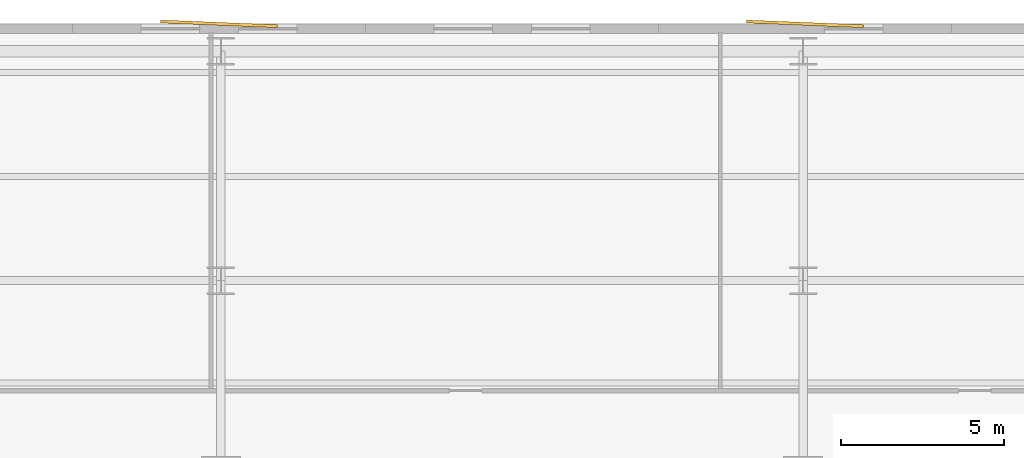
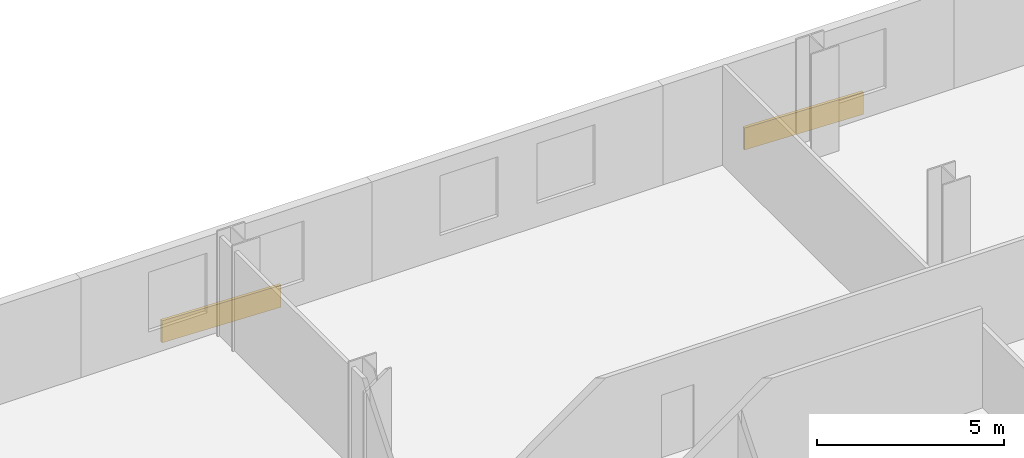
# One storey, part 10 of 10: 2 coverings.
"""IFC4 building model written with IfcOpenShell, lengths in metres."""

from ifc_helpers import new_model, si_unit, direction, frame, origin, origin_2d, place, context, subcontext, project, spatial, rectangle, extrude, material, layer, layer_set, type_object, element, save


model = new_model("IFC4")

# Units and contexts
model_context = context("Model", 3, precision=1e-05, world=origin(), true_north=direction((0.0, 1.0)))
body_context = subcontext(model_context, "Body", "Model", "MODEL_VIEW")
ifc_project = project(units=[si_unit("LENGTHUNIT", "METRE"), si_unit("AREAUNIT", "SQUARE_METRE"), si_unit("VOLUMEUNIT", "CUBIC_METRE"), si_unit("PLANEANGLEUNIT", "RADIAN"), si_unit("MASSUNIT", "GRAM", prefix="KILO")], contexts=[model_context])

# Site, building, storey
site_placement = place(None, origin())
site = spatial("IfcSite", under=ifc_project, at=site_placement, CompositionType="ELEMENT")
building_placement = place(site_placement, origin())
building = spatial("IfcBuilding", under=site, at=building_placement, Name="Velakula Bourse", CompositionType="ELEMENT")
storey_placement = place(building_placement, frame((0.0, 0.0, 45.0)))
storey = spatial("IfcBuildingStorey", under=building, at=storey_placement, Name="L11", CompositionType="ELEMENT", Elevation=45.0)

# Coverings
ifc_material = material(Name="Red kilned clay facing brick masonry", Category="masonry")
ifc_layer = layer(ifc_material, 0.090087890625, Name="Red kilned clay facing brick masonry", Category="masonry")
ifc_layer_set = layer_set([ifc_layer], Name="Red kilned clay facing brick masonry")
covering_type = type_object("IfcCoveringType", Name="COV-BRK-FOLD-90", PredefinedType="CLADDING", material=ifc_layer_set)
for number, where, z_axis, x_axis, name in (
    (1, (-9.0, 22.489990234375, 0.0), (0.0, 0.0, 1.0), (0.999158993058, -0.041003738744, 0.0), "L11 Folded Brick Facade Cladding Panel N-B2"),
    (2, (9.0, 22.489990234375, 0.0), (0.0, 0.0, 1.0), (0.999158993058, -0.041003738744, 0.0), "L11 Folded Brick Facade Cladding Panel N-B4"),
):
    element("IfcCovering", number, at=place(storey_placement, frame(where, z_axis=z_axis, x_axis=x_axis)), inside=storey, type_object=covering_type, Name=name, PredefinedType="CLADDING", context=body_context, shape_type="SweptSolid", body=[
        extrude(rectangle(XDim=3.60009765625, YDim=0.090087890625, at=origin_2d()), origin(), (0.0, 0.0, 1.0), 0.719970703125),
    ])

save(model, "model.ifc")
